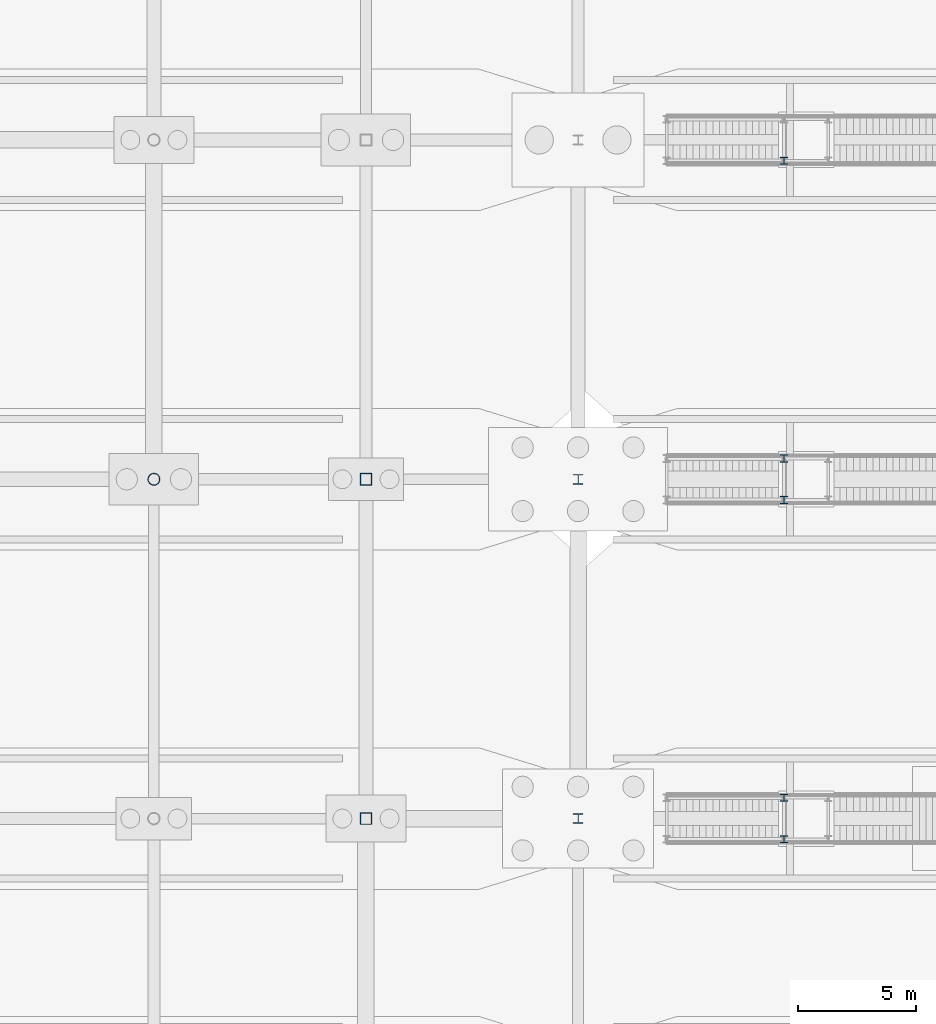
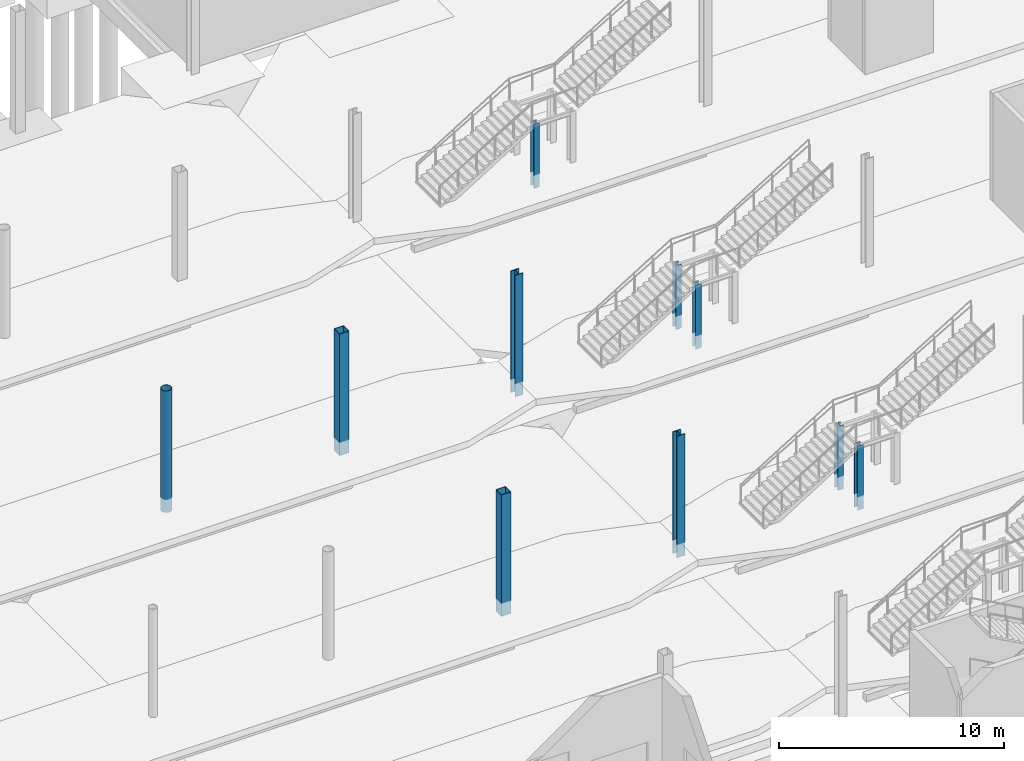
# One storey, part 12 of 115: 10 columns.
"""IFC4 building model written with IfcOpenShell, lengths in metres."""

from ifc_helpers import new_model, si_unit, direction, frame, origin, origin_2d, place, context, subcontext, project, spatial, hollow_rectangle, hollow_circle, i_section, extrude, material, material_profile, profile_set, type_object, element, save


model = new_model("IFC4")

# Units and contexts
model_context = context("Model", 3, precision=1e-05, world=origin(), true_north=direction((0.0, 1.0)))
body_context = subcontext(model_context, "Body", "Model", "MODEL_VIEW")
ifc_project = project(units=[si_unit("LENGTHUNIT", "METRE"), si_unit("AREAUNIT", "SQUARE_METRE"), si_unit("VOLUMEUNIT", "CUBIC_METRE"), si_unit("PLANEANGLEUNIT", "RADIAN"), si_unit("MASSUNIT", "GRAM", prefix="KILO")], contexts=[model_context])

# Site, building, storey
site_placement = place(None, origin())
site = spatial("IfcSite", under=ifc_project, at=site_placement, CompositionType="ELEMENT")
building_placement = place(site_placement, origin())
building = spatial("IfcBuilding", under=site, at=building_placement, Name="Tamarisk Ironworks Central Station", CompositionType="ELEMENT")
storey_placement = place(building_placement, origin())
storey = spatial("IfcBuildingStorey", under=building, at=storey_placement, Name="L00", CompositionType="ELEMENT", Elevation=0.0)

# Columns
ifc_material_1 = material(Name="Structural steel S355J2", Category="steel")
ifc_material_profile_1 = material_profile(ifc_material_1, i_section(OverallWidth=0.408935546875, OverallDepth=0.425048828125, WebThickness=0.02490234375, FlangeThickness=0.0390625, at=origin_2d()), Name="HD 400x421")
ifc_profile_set_1 = profile_set([ifc_material_profile_1], Name="Structural steel S355J2")
column_type_1 = type_object("IfcColumnType", Name="COL-S01", PredefinedType="COLUMN", material=ifc_profile_set_1)
for number, where, z_axis, x_axis, name in (
    (1, (54.0, 36.0, 0.0), (0.0, 0.0, 1.0), (1.0, 0.0, 0.0), "L00 column V2-07D"),
    (2, (54.0, 50.39990234375, 0.0), (0.0, 0.0, 1.0), (1.0, 0.0, 0.0), "L00 column V2-07E"),
):
    element("IfcColumn", number, at=place(storey_placement, frame(where, z_axis=z_axis, x_axis=x_axis)), inside=storey, type_object=column_type_1, Name=name, PredefinedType="COLUMN", context=body_context, shape_type="SweptSolid", body=[
        extrude(i_section(OverallWidth=0.408935546875, OverallDepth=0.425048828125, WebThickness=0.02490234375, FlangeThickness=0.0390625, at=origin_2d()), origin(), (0.0, 0.0, 1.0), 6.60009765625),
    ])
ifc_material_profile_2 = material_profile(ifc_material_1, i_section(OverallWidth=0.300048828125, OverallDepth=0.300048828125, WebThickness=0.010986328125, FlangeThickness=0.01904296875, at=origin_2d()), Name="HEB 300")
ifc_profile_set_2 = profile_set([ifc_material_profile_2], Name="Structural steel S355J2")
column_type_2 = type_object("IfcColumnType", Name="COL-S12", PredefinedType="COLUMN", material=ifc_profile_set_2)
for number, where, z_axis, x_axis, name in (
    (3, (62.739990234375, 35.1201171875, 0.0), (0.0, 0.0, 1.0), (1.0, 0.0, 0.0), "ST-P2A mid-landing support column 1"),
    (4, (62.739990234375, 36.8798828125, 0.0), (0.0, 0.0, 1.0), (1.0, 0.0, 0.0), "ST-P2A mid-landing support column 3"),
    (5, (62.739990234375, 49.52001953125, 0.0), (0.0, 0.0, 1.0), (1.0, 0.0, 0.0), "ST-P3A mid-landing support column 1"),
    (6, (62.739990234375, 51.280029296875, 0.0), (0.0, 0.0, 1.0), (1.0, 0.0, 0.0), "ST-P3A mid-landing support column 3"),
    (7, (62.739990234375, 63.919921875, 0.0), (0.0, 0.0, 1.0), (1.0, 0.0, 0.0), "ST-P4A mid-landing support column 1"),
):
    element("IfcColumn", number, at=place(storey_placement, frame(where, z_axis=z_axis, x_axis=x_axis)), inside=storey, type_object=column_type_2, Name=name, PredefinedType="COLUMN", context=body_context, shape_type="SweptSolid", body=[
        extrude(i_section(OverallWidth=0.300048828125, OverallDepth=0.300048828125, WebThickness=0.010986328125, FlangeThickness=0.01904296875, at=origin_2d()), origin(), (0.0, 0.0, 1.0), 3.469970703125),
    ])
ifc_material_2 = material(Name="Structural steel S355J2H", Category="steel")
ifc_material_profile_3 = material_profile(ifc_material_2, hollow_rectangle(XDim=0.5, YDim=0.5, WallThickness=0.02001953125, at=origin_2d()), Name="SHS 500x500x20")
ifc_profile_set_3 = profile_set([ifc_material_profile_3], Name="Structural steel S355J2H")
column_type_3 = type_object("IfcColumnType", Name="COL-S13", PredefinedType="COLUMN", material=ifc_profile_set_3)
for number, where, z_axis, x_axis, name in (
    (8, (45.0, 36.0, 0.0), (0.0, 0.0, 1.0), (1.0, 0.0, 0.0), "L00 column V1-06D"),
    (9, (45.0, 50.39990234375, 0.0), (0.0, 0.0, 1.0), (1.0, 0.0, 0.0), "L00 column V1-06E"),
):
    element("IfcColumn", number, at=place(storey_placement, frame(where, z_axis=z_axis, x_axis=x_axis)), inside=storey, type_object=column_type_3, Name=name, PredefinedType="COLUMN", context=body_context, shape_type="SweptSolid", body=[
        extrude(hollow_rectangle(XDim=0.5, YDim=0.5, WallThickness=0.02001953125, at=origin_2d()), origin(), (0.0, 0.0, 1.0), 6.60009765625),
    ])
ifc_material_profile_4 = material_profile(ifc_material_2, hollow_circle(Radius=0.25390625, WallThickness=0.01611328125, at=origin_2d()), Name="CHS 508x16")
ifc_profile_set_4 = profile_set([ifc_material_profile_4], Name="Structural steel S355J2H")
column_type_4 = type_object("IfcColumnType", Name="COL-S16", PredefinedType="COLUMN", material=ifc_profile_set_4)
column_placement = place(storey_placement, frame((36.0, 50.39990234375, 0.0), z_axis=(0.0, 0.0, 1.0), x_axis=(1.0, 0.0, 0.0)))
element("IfcColumn", 10, at=column_placement, inside=storey, type_object=column_type_4, Name="L00 column V1-05E", PredefinedType="COLUMN", context=body_context, shape_type="SweptSolid", body=[
    extrude(hollow_circle(Radius=0.25390625, WallThickness=0.01611328125, at=origin_2d()), origin(), (0.0, 0.0, 1.0), 6.60009765625),
])

save(model, "model.ifc")
